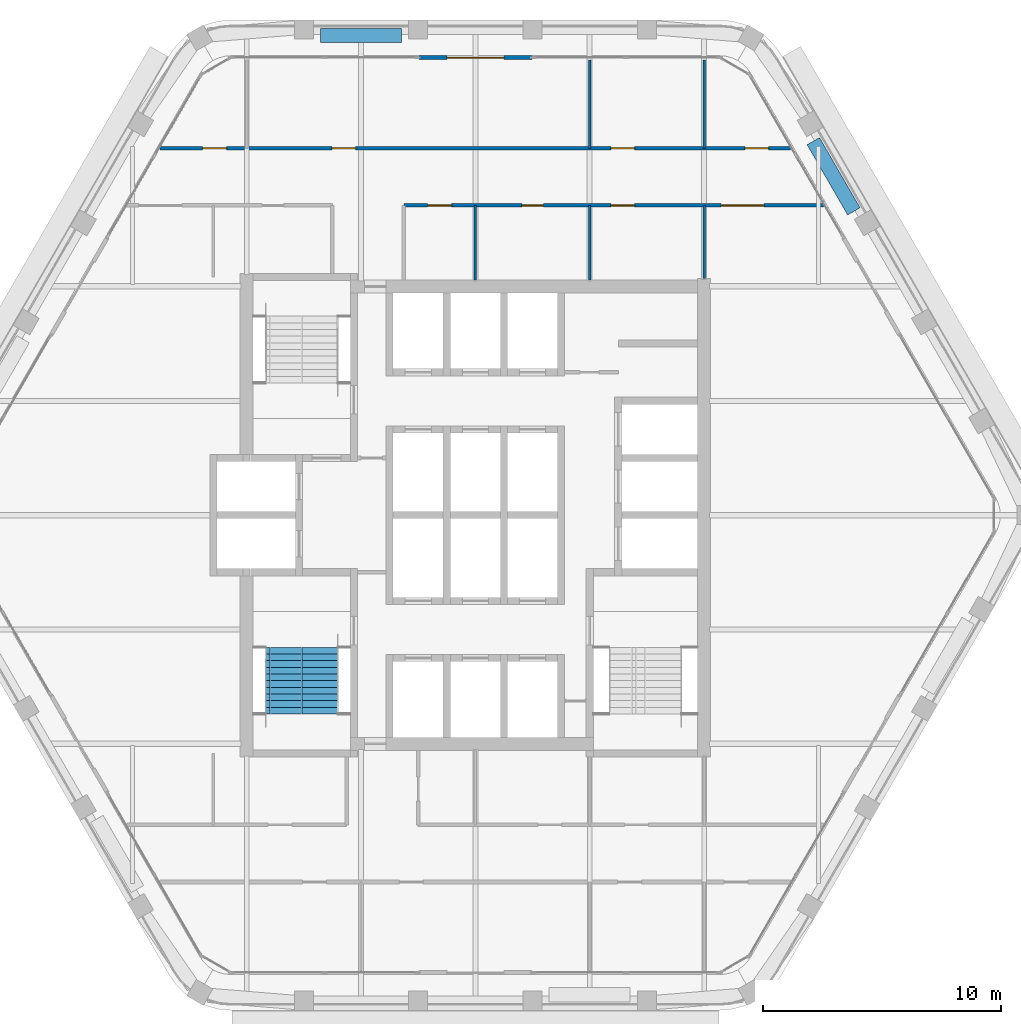
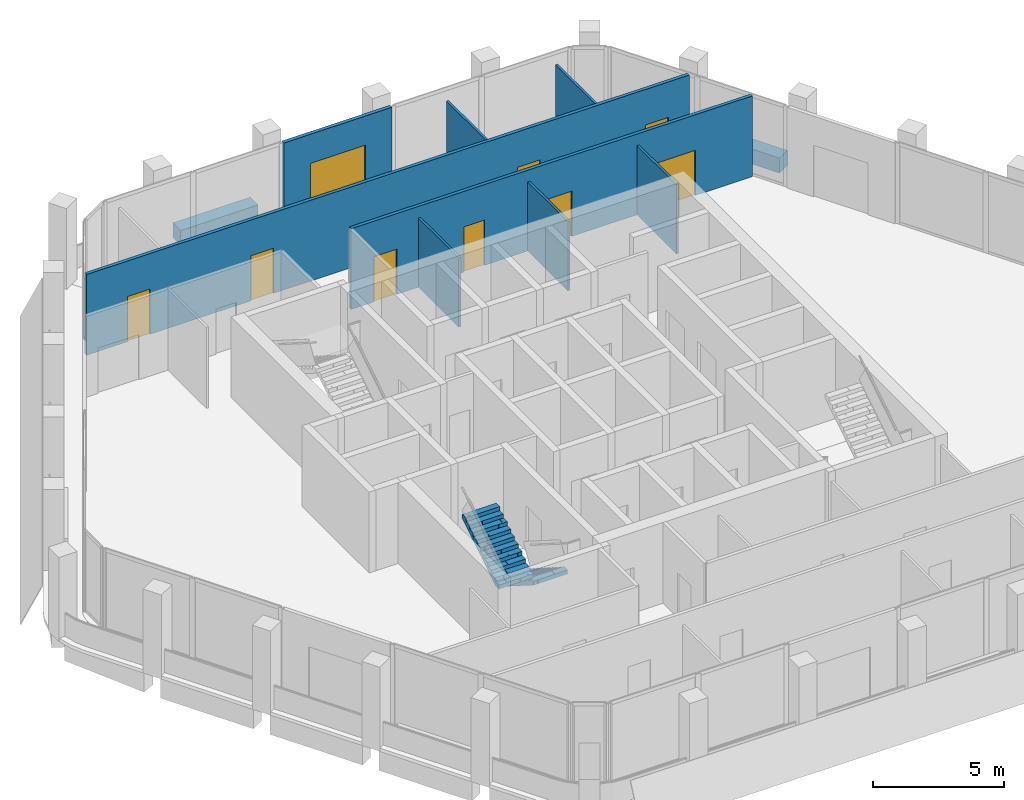
# One storey, part 10 of 13: 10 walls, 9 doors, 2 stair flights, 9 openings, 1 element without a shape of its own.
"""IFC4 building model written with IfcOpenShell, lengths in metres."""

import ifcopenshell
import ifcopenshell.guid

model = None  # the IFC model being written
_history = None  # IfcOwnerHistory: only IFC2X3 demands one
_inside = {}  # id of a spatial element -> (the spatial element, [elements in it])
_under = {}  # id of a project, library or spatial element -> (it, [spatial elements below it])
_declared = {}  # id of a project -> (the project, [libraries it declares])
_typed = {}  # id of a type object -> (the type object, [elements of that type])
_made_of = {}  # id of a material, layer set ... -> (it, [elements and type objects made of it])


def new_model(schema):
    """Start an empty IFC model of exactly this schema.

    Asked for "IFC4X3", IfcOpenShell would pick the latest addendum, in which some entities
    have other attributes; the version numbers below select the first issue.
    IFC2X3 requires an IfcOwnerHistory on every rooted entity: one is made here for all.
    """
    global model, _history
    if schema == "IFC4X3":
        model = ifcopenshell.file(schema_version=(4, 3, 0, 0))
    else:
        model = ifcopenshell.file(schema=schema)
    _inside.clear()
    _under.clear()
    _declared.clear()
    _typed.clear()
    _made_of.clear()
    _history = None
    if model.schema == "IFC2X3":
        org = make("IfcOrganization", Name="unknown")
        user = make(
            "IfcPersonAndOrganization",
            ThePerson=make("IfcPerson", FamilyName="unknown"),
            TheOrganization=org,
        )
        app = make(
            "IfcApplication",
            ApplicationDeveloper=org,
            Version="unknown",
            ApplicationFullName="unknown",
            ApplicationIdentifier="unknown",
        )
        _history = make(
            "IfcOwnerHistory",
            OwningUser=user,
            OwningApplication=app,
            ChangeAction="ADDED",
            CreationDate=0,
        )
    return model


def make(cls, **values):
    """One entity of the class cls with the attributes given. An attribute that is None is left unset."""
    return model.create_entity(
        cls, **{name: value for name, value in values.items() if value is not None}
    )


def rooted(cls, **values):
    """An entity with a GlobalId (a new one), such as an element, a storey or a relation."""
    return make(cls, GlobalId=ifcopenshell.guid.new(), OwnerHistory=_history, **values)


def si_unit(unit_type, name, prefix=None):
    """IfcSIUnit, for example si_unit("LENGTHUNIT", "METRE", prefix="MILLI")."""
    return make("IfcSIUnit", UnitType=unit_type, Prefix=prefix, Name=name)


def assignment(units):
    """IfcUnitAssignment: the units of a project."""
    return None if units is None else make("IfcUnitAssignment", Units=units)


def point(xyz):
    """IfcCartesianPoint."""
    return None if xyz is None else make("IfcCartesianPoint", Coordinates=xyz)


def direction(xyz):
    """IfcDirection."""
    return None if xyz is None else make("IfcDirection", DirectionRatios=xyz)


def frame(location, z_axis=None, x_axis=None):
    """IfcAxis2Placement3D, a coordinate frame: its origin and axes. An axis left out is left unset."""
    return make(
        "IfcAxis2Placement3D",
        Location=point(location),
        Axis=direction(z_axis),
        RefDirection=direction(x_axis),
    )


def frame_2d(location, x_axis=None):
    """IfcAxis2Placement2D, a coordinate frame in the plane: its origin and x axis."""
    return make(
        "IfcAxis2Placement2D", Location=point(location), RefDirection=direction(x_axis)
    )


def origin():
    """The frame at (0, 0, 0) with its axes left unset."""
    return frame((0.0, 0.0, 0.0))


def place(relative_to, where):
    """IfcLocalPlacement: puts the frame where relative to a parent placement (None: the world)."""
    return make(
        "IfcLocalPlacement", PlacementRelTo=relative_to, RelativePlacement=where
    )


def context(
    kind, dimensions, precision=None, world=None, true_north=None, identifier=None
):
    """IfcGeometricRepresentationContext, for example the 3D "Model" context."""
    return make(
        "IfcGeometricRepresentationContext",
        ContextIdentifier=identifier,
        ContextType=kind,
        CoordinateSpaceDimension=dimensions,
        Precision=precision,
        WorldCoordinateSystem=world,
        TrueNorth=true_north,
    )


def subcontext(parent, identifier, kind, view, scale=None):
    """IfcGeometricRepresentationSubContext, for example "Body" below "Model"."""
    return make(
        "IfcGeometricRepresentationSubContext",
        ContextIdentifier=identifier,
        ContextType=kind,
        ParentContext=parent,
        TargetScale=scale,
        TargetView=view,
    )


def project(units=None, contexts=None):
    """IfcProject with its units and contexts."""
    return rooted(
        "IfcProject",
        Name="project",
        RepresentationContexts=contexts,
        UnitsInContext=assignment(units),
    )


def spatial(cls, under=None, at=None, **own):
    """A site, building, storey or space (cls), placed at a placement, below another one or the project."""
    s = rooted(cls, ObjectPlacement=at, **own)
    if under is not None:
        _under.setdefault(under.id(), (under, []))[1].append(s)
    return s


def polyline(points):
    """IfcPolyline through the points."""
    return make("IfcPolyline", Points=[point(p) for p in points])


def profile(cls, at=None, kind="AREA", **sizes):
    """A parametric profile (cls). Its sizes go by their IFC names, for example OverallWidth=200.0."""
    return make(cls, ProfileType=kind, Position=at, **sizes)


def rectangle(**sizes):
    """IfcRectangleProfileDef."""
    return profile("IfcRectangleProfileDef", **sizes)


def outline(outer, holes=None, kind="AREA"):
    """IfcArbitraryClosedProfileDef: a profile drawn as a closed curve; with holes, ...WithVoids."""
    if holes is None:
        return make("IfcArbitraryClosedProfileDef", ProfileType=kind, OuterCurve=outer)
    return make(
        "IfcArbitraryProfileDefWithVoids",
        ProfileType=kind,
        OuterCurve=outer,
        InnerCurves=holes,
    )


def extrude(swept, where, along, depth):
    """IfcExtrudedAreaSolid: the profile swept, set in the frame where, extruded along a direction by depth."""
    return make(
        "IfcExtrudedAreaSolid",
        SweptArea=swept,
        Position=where,
        ExtrudedDirection=direction(along),
        Depth=depth,
    )


def shape(context_of_items, identifier, shape_type, items):
    """IfcShapeRepresentation: the items that make up one representation, for example the "Body"."""
    return make(
        "IfcShapeRepresentation",
        ContextOfItems=context_of_items,
        RepresentationIdentifier=identifier,
        RepresentationType=shape_type,
        Items=items,
    )


def material(Name=None, Category=None):
    """IfcMaterial."""
    return make("IfcMaterial", Name=Name, Category=Category)


def layer(
    of_material, thickness, ventilated=None, Name=None, Category=None, Priority=None
):
    """IfcMaterialLayer: one layer of a wall or slab, of a material (None: an air gap)."""
    return make(
        "IfcMaterialLayer",
        Material=of_material,
        LayerThickness=thickness,
        IsVentilated=ventilated,
        Name=Name,
        Category=Category,
        Priority=Priority,
    )


def layer_set(layers, Name=None):
    """IfcMaterialLayerSet."""
    return make("IfcMaterialLayerSet", MaterialLayers=layers, LayerSetName=Name)


def made_of(thing, what):
    """Note that an element or type object is made of a material, layer set ...; save() writes the relation."""
    if what is not None:
        _made_of.setdefault(what.id(), (what, []))[1].append(thing)
    return thing


def type_object(cls, material=None, **own):
    """A type object (cls), such as IfcWallType, which elements share."""
    return made_of(rooted(cls, **own), material)


def element(
    cls,
    number,
    at=None,
    inside=None,
    cuts=None,
    type_object=None,
    material=None,
    context=None,
    identifier="Body",
    shape_type=None,
    held_by="IfcProductDefinitionShape",
    body=None,
    shapes=None,
    **own,
):
    """One element of the class cls, such as IfcWall. Its Tag is "e" and its number.

    at: its placement. inside: the storey or other place that contains it. cuts: it is an
    opening in that element (IfcRelVoidsElement). A single representation is given by context,
    identifier, shape_type and body (its items); several are given by shapes. held_by: the class
    of the entity that holds the representations. save() writes the other relations.
    """
    e = rooted(cls, Tag="e%d" % number, ObjectPlacement=at, **own)
    if body is not None:
        shapes = [shape(context, identifier, shape_type, body)]
    if shapes is not None:
        e.Representation = make(held_by, Representations=shapes)
    if inside is not None:
        _inside.setdefault(inside.id(), (inside, []))[1].append(e)
    if cuts is not None:
        rooted(
            "IfcRelVoidsElement", RelatingBuildingElement=cuts, RelatedOpeningElement=e
        )
    if type_object is not None:
        _typed.setdefault(type_object.id(), (type_object, []))[1].append(e)
    return made_of(e, material)


def fill(opening, filler):
    """IfcRelFillsElement: the door or window that sits in an opening."""
    return rooted(
        "IfcRelFillsElement",
        RelatingOpeningElement=opening,
        RelatedBuildingElement=filler,
    )


def aggregate(whole, parts):
    """IfcRelAggregates: a whole, such as a stair, and the parts it consists of."""
    return rooted("IfcRelAggregates", RelatingObject=whole, RelatedObjects=parts)


def save(model, path):
    """Write the relations noted so far, then the file.

    IfcRelAggregates (storeys below a building ...), IfcRelContainedInSpatialStructure (elements
    in a storey), IfcRelDefinesByType, IfcRelAssociatesMaterial and IfcRelDeclares: one each for
    every whole, place, type object, material and project.
    """
    for whole, parts in _under.values():
        aggregate(whole, parts)
    for where, things in _inside.values():
        rooted(
            "IfcRelContainedInSpatialStructure",
            RelatedElements=things,
            RelatingStructure=where,
        )
    for kind, things in _typed.values():
        rooted("IfcRelDefinesByType", RelatedObjects=things, RelatingType=kind)
    for what, things in _made_of.values():
        rooted("IfcRelAssociatesMaterial", RelatedObjects=things, RelatingMaterial=what)
    for by, libraries in _declared.values():
        rooted("IfcRelDeclares", RelatingContext=by, RelatedDefinitions=libraries)
    model.write(path)


model = new_model("IFC4")

# Units and contexts
model_context = context("Model", 3, precision=1e-05, world=origin(), true_north=direction((0.0, 1.0)))
body_context = subcontext(model_context, "Body", "Model", "MODEL_VIEW")
ifc_project = project(units=[si_unit("LENGTHUNIT", "METRE"), si_unit("AREAUNIT", "SQUARE_METRE"), si_unit("VOLUMEUNIT", "CUBIC_METRE"), si_unit("PLANEANGLEUNIT", "RADIAN"), si_unit("MASSUNIT", "GRAM", prefix="KILO")], contexts=[model_context])

# Site, building, storey
site_placement = place(None, origin())
site = spatial("IfcSite", under=ifc_project, at=site_placement, CompositionType="ELEMENT")
building_placement = place(site_placement, origin())
building = spatial("IfcBuilding", under=site, at=building_placement, Name="Kolab Exchange Tower", CompositionType="ELEMENT")
storey_placement = place(building_placement, frame((0.0, 0.0, 289.10009765625)))
storey = spatial("IfcBuildingStorey", under=building, at=storey_placement, Name="L65", CompositionType="ELEMENT", Elevation=289.10009765625)

# Wall, opening, door
ifc_material_1 = material(Name="Aluminium EN AW-6063 T6", Category="aluminium")
ifc_layer_1 = layer(ifc_material_1, 0.159912109375)
ifc_layer_set_1 = layer_set([ifc_layer_1], Name="Aluminium EN AW-6063 T6")
wall_type_1 = type_object("IfcWallType", Name="DOOR SURROUND WALL 160 ALUMINIUM FRAMED", PredefinedType="PARTITIONING", material=ifc_layer_set_1)
wall_1_placement = place(storey_placement, frame((-2.3701171875, 19.20458984375, 0.0), z_axis=(0.0, 0.0, 1.0), x_axis=(1.0, 0.0, 0.0)))
wall_1 = element("IfcWall", 1, at=wall_1_placement, inside=storey, type_object=wall_type_1, Name="Door surround wall", PredefinedType="PARTITIONING", context=body_context, shape_type="SweptSolid", body=[
    extrude(rectangle(XDim=4.740234375, YDim=0.159912109375, at=frame_2d((2.3701171875, 0.0))), origin(), (0.0, 0.0, 1.0), 3.75),
])
opening_1_placement = place(wall_1_placement, frame((1.169921875, 0.0, 0.0)))
opening_1 = element("IfcOpeningElement", 2, at=opening_1_placement, cuts=wall_1, Name="Opening GD1-089", PredefinedType="OPENING", context=body_context, shape_type="SweptSolid", body=[
    extrude(rectangle(XDim=2.39990234375, YDim=2.39990234375, at=frame_2d((1.199951171875, 1.199951171875))), frame((0.0, 0.08984375, 0.0), z_axis=(0.0, -1.0, 0.0), x_axis=(1.0, 0.0, 0.0)), (0.0, 0.0, 1.0), 0.179931640625),
])
door_type_1 = type_object("IfcDoorType", Name="LOGGIA SLIDING GLASS DOOR 2400 X 2400", OperationType="DOUBLE_DOOR_SINGLE_SWING", PredefinedType="DOOR", material=ifc_material_1)
door_1_placement = place(opening_1_placement, origin())
door_1 = element("IfcDoor", 3, at=door_1_placement, inside=storey, type_object=door_type_1, Name="Loggia door", OperationType="DOUBLE_DOOR_SLIDING", OverallHeight=2.39990234375, OverallWidth=2.39990234375, PredefinedType="DOOR", context=body_context, shape_type="SweptSolid", body=[
    extrude(rectangle(XDim=2.39990234375, YDim=2.39990234375, at=frame_2d((1.199951171875, 1.199951171875))), frame((0.0, 0.02490234375, 0.0), z_axis=(0.0, -1.0, 0.0), x_axis=(1.0, 0.0, 0.0)), (0.0, 0.0, 1.0), 0.050048828125),
])
fill(opening_1, door_1)

# Walls
ifc_material_2 = material(Name="Gypsum board", Category="gypsum")
ifc_layer_2 = layer(ifc_material_2, 0.10009765625)
ifc_layer_set_2 = layer_set([ifc_layer_2], Name="Gypsum board")
wall_type_2 = type_object("IfcWallType", Name="PARTITION 100", PredefinedType="PARTITIONING", material=ifc_layer_set_2)
wall_2_placement = place(storey_placement, frame((9.60009765625, 9.925048828125, 0.0), z_axis=(0.0, 0.0, 1.0), x_axis=(0.0, 1.0, 0.0)))
element("IfcWall", 4, at=wall_2_placement, inside=storey, type_object=wall_type_2, Name="Partition 002", PredefinedType="PARTITIONING", context=body_context, shape_type="SweptSolid", body=[
    extrude(rectangle(XDim=3.074951171875, YDim=0.10009765625, at=frame_2d((1.53759765625, 0.0))), origin(), (0.0, 0.0, 1.0), 3.216796875),
])
wall_3_placement = place(storey_placement, frame((9.60009765625, 15.39990234375, 0.0), z_axis=(0.0, 0.0, 1.0), x_axis=(0.0, 1.0, 0.0)))
element("IfcWall", 5, at=wall_3_placement, inside=storey, type_object=wall_type_2, Name="Partition 003", PredefinedType="PARTITIONING", context=body_context, shape_type="SweptSolid", body=[
    extrude(rectangle(XDim=3.714599609375, YDim=0.10009765625, at=frame_2d((1.857421875, 0.0))), origin(), (0.0, 0.0, 1.0), 3.216796875),
])
wall_4_placement = place(storey_placement, frame((4.800048828125, 9.875, 0.0), z_axis=(0.0, 0.0, 1.0), x_axis=(0.0, 1.0, 0.0)))
element("IfcWall", 6, at=wall_4_placement, inside=storey, type_object=wall_type_2, Name="Partition 006", PredefinedType="PARTITIONING", context=body_context, shape_type="SweptSolid", body=[
    extrude(rectangle(XDim=3.125, YDim=0.10009765625, at=frame_2d((1.5625, 0.0))), origin(), (0.0, 0.0, 1.0), 3.216796875),
])
wall_5_placement = place(storey_placement, frame((4.800048828125, 15.39990234375, 0.0), z_axis=(0.0, 0.0, 1.0), x_axis=(0.0, 1.0, 0.0)))
element("IfcWall", 7, at=wall_5_placement, inside=storey, type_object=wall_type_2, Name="Partition 007", PredefinedType="PARTITIONING", context=body_context, shape_type="SweptSolid", body=[
    extrude(rectangle(XDim=3.714599609375, YDim=0.10009765625, at=frame_2d((1.857421875, 0.0))), origin(), (0.0, 0.0, 1.0), 3.216796875),
])
wall_6_placement = place(storey_placement, frame((0.0, 9.875, 0.0), z_axis=(0.0, 0.0, 1.0), x_axis=(0.0, 1.0, 0.0)))
element("IfcWall", 8, at=wall_6_placement, inside=storey, type_object=wall_type_2, Name="Partition 009", PredefinedType="PARTITIONING", context=body_context, shape_type="SweptSolid", body=[
    extrude(rectangle(XDim=3.125, YDim=0.10009765625, at=frame_2d((1.5625, 0.0))), origin(), (0.0, 0.0, 1.0), 3.216796875),
])

# Wall, openings, doors
ifc_layer_3 = layer(ifc_material_2, 0.14990234375)
ifc_layer_set_3 = layer_set([ifc_layer_3], Name="Gypsum board")
wall_type_3 = type_object("IfcWallType", Name="PARTITION 150 FIRE-RATED", PredefinedType="PARTITIONING", material=ifc_layer_set_3)
wall_7_placement = place(storey_placement, frame((-3.0, 13.0, 0.0), z_axis=(0.0, 0.0, 1.0), x_axis=(1.0, 0.0, 0.0)))
wall_7 = element("IfcWall", 9, at=wall_7_placement, inside=storey, type_object=wall_type_3, Name="Partition 024", PredefinedType="PARTITIONING", context=body_context, shape_type="SweptSolid", body=[
    extrude(rectangle(XDim=17.623779296875, YDim=0.14990234375, at=frame_2d((8.81201171875, 0.0))), origin(), (0.0, 0.0, 1.0), 3.75),
])
opening_2_placement = place(wall_7_placement, frame((1.0, 0.0, 0.0)))
opening_2 = element("IfcOpeningElement", 10, at=opening_2_placement, cuts=wall_7, Name="Opening D1-753", PredefinedType="OPENING", context=body_context, shape_type="SweptSolid", body=[
    extrude(rectangle(XDim=1.0, YDim=2.10009765625, at=frame_2d((0.5, 1.050048828125))), frame((0.0, 0.0849609375, 0.0), z_axis=(0.0, -1.0, 0.0), x_axis=(1.0, 0.0, 0.0)), (0.0, 0.0, 1.0), 0.169921875),
])
opening_3_placement = place(wall_7_placement, frame((4.949951171875, 0.0, 0.0)))
opening_3 = element("IfcOpeningElement", 11, at=opening_3_placement, cuts=wall_7, Name="Opening D3-093", PredefinedType="OPENING", context=body_context, shape_type="SweptSolid", body=[
    extrude(rectangle(XDim=0.89990234375, YDim=2.10009765625, at=frame_2d((0.449951171875, 1.050048828125))), frame((0.0, 0.0849609375, 0.0), z_axis=(0.0, -1.0, 0.0), x_axis=(1.0, 0.0, 0.0)), (0.0, 0.0, 1.0), 0.169921875),
])
opening_4_placement = place(wall_7_placement, frame((8.68505859375, 0.0, 0.0)))
opening_4 = element("IfcOpeningElement", 12, at=opening_4_placement, cuts=wall_7, Name="Opening D1-754", PredefinedType="OPENING", context=body_context, shape_type="SweptSolid", body=[
    extrude(rectangle(XDim=1.0, YDim=2.10009765625, at=frame_2d((0.5, 1.050048828125))), frame((0.0, 0.0849609375, 0.0), z_axis=(0.0, -1.0, 0.0), x_axis=(1.0, 0.0, 0.0)), (0.0, 0.0, 1.0), 0.169921875),
])
opening_5_placement = place(wall_7_placement, frame((13.314453125, 0.0, 0.0)))
opening_5 = element("IfcOpeningElement", 13, at=opening_5_placement, cuts=wall_7, Name="Opening D2-078", PredefinedType="OPENING", context=body_context, shape_type="SweptSolid", body=[
    extrude(rectangle(XDim=1.800048828125, YDim=2.10009765625, at=frame_2d((0.89990234375, 1.050048828125))), frame((0.0, 0.0849609375, 0.0), z_axis=(0.0, -1.0, 0.0), x_axis=(1.0, 0.0, 0.0)), (0.0, 0.0, 1.0), 0.169921875),
])
ifc_material_3 = material(Name="Steel S235", Category="steel")
door_type_2 = type_object("IfcDoorType", Name="DOUBLE DOOR 1800 FD60", OperationType="DOUBLE_DOOR_SINGLE_SWING", PredefinedType="DOOR", material=ifc_material_3)
door_2_placement = place(opening_5_placement, frame((1.800048828125, 0.0, 0.0), z_axis=(0.0, 0.0, 1.0), x_axis=(-1.0, 0.0, 0.0)))
door_2 = element("IfcDoor", 14, at=door_2_placement, inside=storey, type_object=door_type_2, Name="Door L65-047", OperationType="SINGLE_SWING_LEFT", OverallHeight=2.10009765625, OverallWidth=1.800048828125, PredefinedType="DOOR", context=body_context, shape_type="SweptSolid", body=[
    extrude(rectangle(XDim=1.800048828125, YDim=2.10009765625, at=frame_2d((0.89990234375, 1.050048828125))), frame((0.0, 0.02490234375, 0.0), z_axis=(0.0, -1.0, 0.0), x_axis=(1.0, 0.0, 0.0)), (0.0, 0.0, 1.0), 0.050048828125),
])
fill(opening_5, door_2)
door_type_3 = type_object("IfcDoorType", Name="FLUSH DOOR 1000 FD60", OperationType="SINGLE_SWING_LEFT", PredefinedType="DOOR", material=ifc_material_3)
door_3_placement = place(opening_2_placement, frame((1.0, 0.0, 0.0), z_axis=(0.0, 0.0, 1.0), x_axis=(-1.0, 0.0, 0.0)))
door_3 = element("IfcDoor", 15, at=door_3_placement, inside=storey, type_object=door_type_3, Name="Door L65-031", OperationType="SINGLE_SWING_LEFT", OverallHeight=2.10009765625, OverallWidth=1.0, PredefinedType="DOOR", context=body_context, shape_type="SweptSolid", body=[
    extrude(rectangle(XDim=1.0, YDim=2.10009765625, at=frame_2d((0.5, 1.050048828125))), frame((0.0, 0.02490234375, 0.0), z_axis=(0.0, -1.0, 0.0), x_axis=(1.0, 0.0, 0.0)), (0.0, 0.0, 1.0), 0.050048828125),
])
fill(opening_2, door_3)
door_4_placement = place(opening_4_placement, frame((1.0, 0.0, 0.0), z_axis=(0.0, 0.0, 1.0), x_axis=(-1.0, 0.0, 0.0)))
door_4 = element("IfcDoor", 16, at=door_4_placement, inside=storey, type_object=door_type_3, Name="Door L65-033", OperationType="SINGLE_SWING_LEFT", OverallHeight=2.10009765625, OverallWidth=1.0, PredefinedType="DOOR", context=body_context, shape_type="SweptSolid", body=[
    extrude(rectangle(XDim=1.0, YDim=2.10009765625, at=frame_2d((0.5, 1.050048828125))), frame((0.0, 0.02490234375, 0.0), z_axis=(0.0, -1.0, 0.0), x_axis=(1.0, 0.0, 0.0)), (0.0, 0.0, 1.0), 0.050048828125),
])
fill(opening_4, door_4)
door_type_4 = type_object("IfcDoorType", Name="FLUSH DOOR 900 FD60", OperationType="SINGLE_SWING_LEFT", PredefinedType="DOOR", material=ifc_material_3)
door_5_placement = place(opening_3_placement, frame((0.89990234375, 0.0, 0.0), z_axis=(0.0, 0.0, 1.0), x_axis=(-1.0, 0.0, 0.0)))
door_5 = element("IfcDoor", 17, at=door_5_placement, inside=storey, type_object=door_type_4, Name="Door L65-032", OperationType="SINGLE_SWING_RIGHT", OverallHeight=2.10009765625, OverallWidth=0.89990234375, PredefinedType="DOOR", context=body_context, shape_type="SweptSolid", body=[
    extrude(rectangle(XDim=0.89990234375, YDim=2.10009765625, at=frame_2d((0.449951171875, 1.050048828125))), frame((0.0, 0.02490234375, 0.0), z_axis=(0.0, -1.0, 0.0), x_axis=(1.0, 0.0, 0.0)), (0.0, 0.0, 1.0), 0.050048828125),
])
fill(opening_3, door_5)

wall_8_placement = place(storey_placement, frame((-13.23828125, 15.39990234375, 0.0), z_axis=(0.0, 0.0, 1.0), x_axis=(1.0, 0.0, 0.0)))
wall_8 = element("IfcWall", 18, at=wall_8_placement, inside=storey, type_object=wall_type_3, Name="Partition 025", PredefinedType="PARTITIONING", context=body_context, shape_type="SweptSolid", body=[
    extrude(rectangle(XDim=26.4765625, YDim=0.14990234375, at=frame_2d((13.23828125, 0.0))), origin(), (0.0, 0.0, 1.0), 3.75),
])
opening_6_placement = place(wall_8_placement, frame((1.7939453125, 0.0, 0.0)))
opening_6 = element("IfcOpeningElement", 19, at=opening_6_placement, cuts=wall_8, Name="Opening D1-759", PredefinedType="OPENING", context=body_context, shape_type="SweptSolid", body=[
    extrude(rectangle(XDim=1.0, YDim=2.10009765625, at=frame_2d((0.5, 1.050048828125))), frame((0.0, 0.0849609375, 0.0), z_axis=(0.0, -1.0, 0.0), x_axis=(1.0, 0.0, 0.0)), (0.0, 0.0, 1.0), 0.169921875),
])
opening_7_placement = place(wall_8_placement, frame((7.213134765625, 0.0, 0.0)))
opening_7 = element("IfcOpeningElement", 20, at=opening_7_placement, cuts=wall_8, Name="Opening D1-760", PredefinedType="OPENING", context=body_context, shape_type="SweptSolid", body=[
    extrude(rectangle(XDim=1.0, YDim=2.10009765625, at=frame_2d((0.5, 1.050048828125))), frame((0.0, 0.0849609375, 0.0), z_axis=(0.0, -1.0, 0.0), x_axis=(1.0, 0.0, 0.0)), (0.0, 0.0, 1.0), 0.169921875),
])
opening_8_placement = place(wall_8_placement, frame((18.923095703125, 0.0, 0.0)))
opening_8 = element("IfcOpeningElement", 21, at=opening_8_placement, cuts=wall_8, Name="Opening D1-761", PredefinedType="OPENING", context=body_context, shape_type="SweptSolid", body=[
    extrude(rectangle(XDim=1.0, YDim=2.10009765625, at=frame_2d((0.5, 1.050048828125))), frame((0.0, 0.0849609375, 0.0), z_axis=(0.0, -1.0, 0.0), x_axis=(1.0, 0.0, 0.0)), (0.0, 0.0, 1.0), 0.169921875),
])
opening_9_placement = place(wall_8_placement, frame((24.552978515625, 0.0, 0.0)))
opening_9 = element("IfcOpeningElement", 22, at=opening_9_placement, cuts=wall_8, Name="Opening D1-762", PredefinedType="OPENING", context=body_context, shape_type="SweptSolid", body=[
    extrude(rectangle(XDim=1.0, YDim=2.10009765625, at=frame_2d((0.5, 1.050048828125))), frame((0.0, 0.0849609375, 0.0), z_axis=(0.0, -1.0, 0.0), x_axis=(1.0, 0.0, 0.0)), (0.0, 0.0, 1.0), 0.169921875),
])
door_6_placement = place(opening_6_placement, origin())
door_6 = element("IfcDoor", 23, at=door_6_placement, inside=storey, type_object=door_type_3, Name="Door L65-039", OperationType="SINGLE_SWING_RIGHT", OverallHeight=2.10009765625, OverallWidth=1.0, PredefinedType="DOOR", context=body_context, shape_type="SweptSolid", body=[
    extrude(rectangle(XDim=1.0, YDim=2.10009765625, at=frame_2d((0.5, 1.050048828125))), frame((0.0, 0.02490234375, 0.0), z_axis=(0.0, -1.0, 0.0), x_axis=(1.0, 0.0, 0.0)), (0.0, 0.0, 1.0), 0.050048828125),
])
fill(opening_6, door_6)
door_7_placement = place(opening_7_placement, origin())
door_7 = element("IfcDoor", 24, at=door_7_placement, inside=storey, type_object=door_type_3, Name="Door L65-040", OperationType="SINGLE_SWING_LEFT", OverallHeight=2.10009765625, OverallWidth=1.0, PredefinedType="DOOR", context=body_context, shape_type="SweptSolid", body=[
    extrude(rectangle(XDim=1.0, YDim=2.10009765625, at=frame_2d((0.5, 1.050048828125))), frame((0.0, 0.02490234375, 0.0), z_axis=(0.0, -1.0, 0.0), x_axis=(1.0, 0.0, 0.0)), (0.0, 0.0, 1.0), 0.050048828125),
])
fill(opening_7, door_7)
door_8_placement = place(opening_8_placement, origin())
door_8 = element("IfcDoor", 25, at=door_8_placement, inside=storey, type_object=door_type_3, Name="Door L65-041", OperationType="SINGLE_SWING_LEFT", OverallHeight=2.10009765625, OverallWidth=1.0, PredefinedType="DOOR", context=body_context, shape_type="SweptSolid", body=[
    extrude(rectangle(XDim=1.0, YDim=2.10009765625, at=frame_2d((0.5, 1.050048828125))), frame((0.0, 0.02490234375, 0.0), z_axis=(0.0, -1.0, 0.0), x_axis=(1.0, 0.0, 0.0)), (0.0, 0.0, 1.0), 0.050048828125),
])
fill(opening_8, door_8)
door_9_placement = place(opening_9_placement, origin())
door_9 = element("IfcDoor", 26, at=door_9_placement, inside=storey, type_object=door_type_3, Name="Door L65-042", OperationType="SINGLE_SWING_RIGHT", OverallHeight=2.10009765625, OverallWidth=1.0, PredefinedType="DOOR", context=body_context, shape_type="SweptSolid", body=[
    extrude(rectangle(XDim=1.0, YDim=2.10009765625, at=frame_2d((0.5, 1.050048828125))), frame((0.0, 0.02490234375, 0.0), z_axis=(0.0, -1.0, 0.0), x_axis=(1.0, 0.0, 0.0)), (0.0, 0.0, 1.0), 0.050048828125),
])
fill(opening_9, door_9)

# Walls
ifc_material_4 = material(Name="Granite facing", Category="masonry")
ifc_layer_4 = layer(ifc_material_4, 0.0400390625)
ifc_material_5 = material(Name="Concrete C40/50 precast", Category="concrete")
ifc_layer_5 = layer(ifc_material_5, 0.56005859375)
ifc_layer_set_4 = layer_set([ifc_layer_4, ifc_layer_5], Name="Concrete C40/50 precast")
wall_type_4 = type_object("IfcWallType", Name="PLANTER BOX 600 X 700 SOIL DEPTH 550", PredefinedType="USERDEFINED", material=ifc_layer_set_4)
wall_9_placement = place(storey_placement, frame((-6.5, 20.134521484375, 0.0), z_axis=(0.0, 0.0, 1.0), x_axis=(1.0, 0.0, 0.0)))
element("IfcWall", 27, at=wall_9_placement, inside=storey, type_object=wall_type_4, Name="Planter", ObjectType="PLANTER", PredefinedType="USERDEFINED", context=body_context, shape_type="SweptSolid", body=[
    extrude(rectangle(XDim=3.39990234375, YDim=0.60009765625, at=frame_2d((1.699951171875, 0.0))), origin(), (0.0, 0.0, 1.0), 0.699951171875),
])
wall_10_placement = place(storey_placement, frame((14.18701171875, 15.696533203125, 0.0), z_axis=(0.0, 0.0, 1.0), x_axis=(0.499977295307, -0.866038511948, 0.0)))
element("IfcWall", 28, at=wall_10_placement, inside=storey, type_object=wall_type_4, Name="Planter", ObjectType="PLANTER", PredefinedType="USERDEFINED", context=body_context, shape_type="SweptSolid", body=[
    extrude(rectangle(XDim=3.400146484375, YDim=0.60009765625, at=frame_2d((1.7001953125, 0.0))), origin(), (0.0, 0.0, 1.0), 0.699951171875),
])

# Stair, stair flights
ifc_material_6 = material(Name="Concrete C50/60", Category="concrete")
stair_type = type_object("IfcStairType", Name="STAIR ST3 RISER 177.3", PredefinedType="HALF_TURN_STAIR", material=ifc_material_6)
stair_placement = place(storey_placement, origin())
stair = element("IfcStair", 29, at=stair_placement, inside=storey, type_object=stair_type, Name="Stair 3", PredefinedType="HALF_TURN_STAIR")
stair_flight_type = type_object("IfcStairFlightType", Name="STAIR FLIGHT 1500 RISER 177.3", PredefinedType="STRAIGHT", material=ifc_material_6)
stair_flight_1_placement = place(storey_placement, frame((-6.527587890625, -5.550048828125, 0.0), z_axis=(0.0, 0.0, 1.0), x_axis=(0.0, -1.0, 0.0)))
stair_flight_1 = element("IfcStairFlight", 30, at=stair_flight_1_placement, type_object=stair_flight_type, Name="ST3 flight 1", NumberOfRisers=11, NumberOfTreads=10, PredefinedType="STRAIGHT", RiserHeight=0.177272727, TreadLength=0.28, context=body_context, shape_type="SweptSolid", body=[
    extrude(outline(polyline([(0.0, 0.0), (0.0, 0.17724609375), (0.280029296875, 0.17724609375), (0.280029296875, 0.3544921875), (0.56005859375, 0.3544921875), (0.56005859375, 0.53173828125), (0.840087890625, 0.53173828125), (0.840087890625, 0.708984375), (1.1201171875, 0.708984375), (1.1201171875, 0.886474609375), (1.39990234375, 0.886474609375), (1.39990234375, 1.063720703125), (1.679931640625, 1.063720703125), (1.679931640625, 1.240966796875), (1.9599609375, 1.240966796875), (1.9599609375, 1.418212890625), (2.239990234375, 1.418212890625), (2.239990234375, 1.595458984375), (2.52001953125, 1.595458984375), (2.52001953125, 1.772705078125), (2.800048828125, 1.772705078125), (2.800048828125, 1.949951171875), (2.800048828125, 1.59521484375), (0.2802734375, 0.0), (0.0, 0.0)])), frame((0.0, 0.75, 0.0), z_axis=(0.0, -1.0, 0.0), x_axis=(1.0, 0.0, 0.0)), (0.0, 0.0, 1.0), 0.185791015625),
    extrude(outline(polyline([(0.0, 0.0), (0.0, 0.17724609375), (0.280029296875, 0.17724609375), (0.280029296875, 0.3544921875), (0.56005859375, 0.3544921875), (0.56005859375, 0.53173828125), (0.840087890625, 0.53173828125), (0.840087890625, 0.708984375), (1.1201171875, 0.708984375), (1.1201171875, 0.886474609375), (1.39990234375, 0.886474609375), (1.39990234375, 1.063720703125), (1.679931640625, 1.063720703125), (1.679931640625, 1.240966796875), (1.9599609375, 1.240966796875), (1.9599609375, 1.418212890625), (2.239990234375, 1.418212890625), (2.239990234375, 1.595458984375), (2.52001953125, 1.595458984375), (2.52001953125, 1.772705078125), (2.800048828125, 1.772705078125), (2.800048828125, 1.949951171875), (2.800048828125, 1.59521484375), (0.2802734375, 0.0), (0.0, 0.0)])), frame((0.0, 0.562255859375, 0.0), z_axis=(0.0, -1.0, 0.0), x_axis=(1.0, 0.0, 0.0)), (0.0, 0.0, 1.0), 0.185791015625),
    extrude(outline(polyline([(0.0, 0.0), (0.0, 0.17724609375), (0.280029296875, 0.17724609375), (0.280029296875, 0.3544921875), (0.56005859375, 0.3544921875), (0.56005859375, 0.53173828125), (0.840087890625, 0.53173828125), (0.840087890625, 0.708984375), (1.1201171875, 0.708984375), (1.1201171875, 0.886474609375), (1.39990234375, 0.886474609375), (1.39990234375, 1.063720703125), (1.679931640625, 1.063720703125), (1.679931640625, 1.240966796875), (1.9599609375, 1.240966796875), (1.9599609375, 1.418212890625), (2.239990234375, 1.418212890625), (2.239990234375, 1.595458984375), (2.52001953125, 1.595458984375), (2.52001953125, 1.772705078125), (2.800048828125, 1.772705078125), (2.800048828125, 1.949951171875), (2.800048828125, 1.59521484375), (0.2802734375, 0.0), (0.0, 0.0)])), frame((0.0, 0.37451171875, 0.0), z_axis=(0.0, -1.0, 0.0), x_axis=(1.0, 0.0, 0.0)), (0.0, 0.0, 1.0), 0.185791015625),
    extrude(outline(polyline([(0.0, 0.0), (0.0, 0.17724609375), (0.280029296875, 0.17724609375), (0.280029296875, 0.3544921875), (0.56005859375, 0.3544921875), (0.56005859375, 0.53173828125), (0.840087890625, 0.53173828125), (0.840087890625, 0.708984375), (1.1201171875, 0.708984375), (1.1201171875, 0.886474609375), (1.39990234375, 0.886474609375), (1.39990234375, 1.063720703125), (1.679931640625, 1.063720703125), (1.679931640625, 1.240966796875), (1.9599609375, 1.240966796875), (1.9599609375, 1.418212890625), (2.239990234375, 1.418212890625), (2.239990234375, 1.595458984375), (2.52001953125, 1.595458984375), (2.52001953125, 1.772705078125), (2.800048828125, 1.772705078125), (2.800048828125, 1.949951171875), (2.800048828125, 1.59521484375), (0.2802734375, 0.0), (0.0, 0.0)])), frame((0.0, 0.186767578125, 0.0), z_axis=(0.0, -1.0, 0.0), x_axis=(1.0, 0.0, 0.0)), (0.0, 0.0, 1.0), 0.185791015625),
    extrude(outline(polyline([(0.0, 0.0), (0.0, 0.17724609375), (0.280029296875, 0.17724609375), (0.280029296875, 0.3544921875), (0.56005859375, 0.3544921875), (0.56005859375, 0.53173828125), (0.840087890625, 0.53173828125), (0.840087890625, 0.708984375), (1.1201171875, 0.708984375), (1.1201171875, 0.886474609375), (1.39990234375, 0.886474609375), (1.39990234375, 1.063720703125), (1.679931640625, 1.063720703125), (1.679931640625, 1.240966796875), (1.9599609375, 1.240966796875), (1.9599609375, 1.418212890625), (2.239990234375, 1.418212890625), (2.239990234375, 1.595458984375), (2.52001953125, 1.595458984375), (2.52001953125, 1.772705078125), (2.800048828125, 1.772705078125), (2.800048828125, 1.949951171875), (2.800048828125, 1.59521484375), (0.2802734375, 0.0), (0.0, 0.0)])), frame((0.0, -0.0009765625, 0.0), z_axis=(0.0, -1.0, 0.0), x_axis=(1.0, 0.0, 0.0)), (0.0, 0.0, 1.0), 0.185791015625),
    extrude(outline(polyline([(0.0, 0.0), (0.0, 0.17724609375), (0.280029296875, 0.17724609375), (0.280029296875, 0.3544921875), (0.56005859375, 0.3544921875), (0.56005859375, 0.53173828125), (0.840087890625, 0.53173828125), (0.840087890625, 0.708984375), (1.1201171875, 0.708984375), (1.1201171875, 0.886474609375), (1.39990234375, 0.886474609375), (1.39990234375, 1.063720703125), (1.679931640625, 1.063720703125), (1.679931640625, 1.240966796875), (1.9599609375, 1.240966796875), (1.9599609375, 1.418212890625), (2.239990234375, 1.418212890625), (2.239990234375, 1.595458984375), (2.52001953125, 1.595458984375), (2.52001953125, 1.772705078125), (2.800048828125, 1.772705078125), (2.800048828125, 1.949951171875), (2.800048828125, 1.59521484375), (0.2802734375, 0.0), (0.0, 0.0)])), frame((0.0, -0.188720703125, 0.0), z_axis=(0.0, -1.0, 0.0), x_axis=(1.0, 0.0, 0.0)), (0.0, 0.0, 1.0), 0.185791015625),
    extrude(outline(polyline([(0.0, 0.0), (0.0, 0.17724609375), (0.280029296875, 0.17724609375), (0.280029296875, 0.3544921875), (0.56005859375, 0.3544921875), (0.56005859375, 0.53173828125), (0.840087890625, 0.53173828125), (0.840087890625, 0.708984375), (1.1201171875, 0.708984375), (1.1201171875, 0.886474609375), (1.39990234375, 0.886474609375), (1.39990234375, 1.063720703125), (1.679931640625, 1.063720703125), (1.679931640625, 1.240966796875), (1.9599609375, 1.240966796875), (1.9599609375, 1.418212890625), (2.239990234375, 1.418212890625), (2.239990234375, 1.595458984375), (2.52001953125, 1.595458984375), (2.52001953125, 1.772705078125), (2.800048828125, 1.772705078125), (2.800048828125, 1.949951171875), (2.800048828125, 1.59521484375), (0.2802734375, 0.0), (0.0, 0.0)])), frame((0.0, -0.37646484375, 0.0), z_axis=(0.0, -1.0, 0.0), x_axis=(1.0, 0.0, 0.0)), (0.0, 0.0, 1.0), 0.185791015625),
    extrude(outline(polyline([(0.0, 0.0), (0.0, 0.17724609375), (0.280029296875, 0.17724609375), (0.280029296875, 0.3544921875), (0.56005859375, 0.3544921875), (0.56005859375, 0.53173828125), (0.840087890625, 0.53173828125), (0.840087890625, 0.708984375), (1.1201171875, 0.708984375), (1.1201171875, 0.886474609375), (1.39990234375, 0.886474609375), (1.39990234375, 1.063720703125), (1.679931640625, 1.063720703125), (1.679931640625, 1.240966796875), (1.9599609375, 1.240966796875), (1.9599609375, 1.418212890625), (2.239990234375, 1.418212890625), (2.239990234375, 1.595458984375), (2.52001953125, 1.595458984375), (2.52001953125, 1.772705078125), (2.800048828125, 1.772705078125), (2.800048828125, 1.949951171875), (2.800048828125, 1.59521484375), (0.2802734375, 0.0), (0.0, 0.0)])), frame((0.0, -0.564208984375, 0.0), z_axis=(0.0, -1.0, 0.0), x_axis=(1.0, 0.0, 0.0)), (0.0, 0.0, 1.0), 0.185791015625),
])
stair_flight_2_placement = place(storey_placement, frame((-8.047607421875, -8.35009765625, 1.949951171875), z_axis=(0.0, 0.0, 1.0), x_axis=(0.0, 1.0, 0.0)))
stair_flight_2 = element("IfcStairFlight", 31, at=stair_flight_2_placement, type_object=stair_flight_type, Name="ST3 flight 2", NumberOfRisers=11, NumberOfTreads=10, PredefinedType="STRAIGHT", RiserHeight=0.177272727, TreadLength=0.28, context=body_context, shape_type="SweptSolid", body=[
    extrude(outline(polyline([(0.0, 0.0), (0.0, 0.17724609375), (0.280029296875, 0.17724609375), (0.280029296875, 0.3544921875), (0.56005859375, 0.3544921875), (0.56005859375, 0.53173828125), (0.840087890625, 0.53173828125), (0.840087890625, 0.708984375), (1.1201171875, 0.708984375), (1.1201171875, 0.886474609375), (1.39990234375, 0.886474609375), (1.39990234375, 1.063720703125), (1.679931640625, 1.063720703125), (1.679931640625, 1.240966796875), (1.9599609375, 1.240966796875), (1.9599609375, 1.418212890625), (2.239990234375, 1.418212890625), (2.239990234375, 1.595458984375), (2.52001953125, 1.595458984375), (2.52001953125, 1.772705078125), (2.800048828125, 1.772705078125), (2.800048828125, 1.949951171875), (2.800048828125, 1.59521484375), (0.2802734375, 0.0), (0.0, 0.0)])), frame((0.0, 0.75, 0.0), z_axis=(0.0, -1.0, 0.0), x_axis=(1.0, 0.0, 0.0)), (0.0, 0.0, 1.0), 0.185791015625),
    extrude(outline(polyline([(0.0, 0.0), (0.0, 0.17724609375), (0.280029296875, 0.17724609375), (0.280029296875, 0.3544921875), (0.56005859375, 0.3544921875), (0.56005859375, 0.53173828125), (0.840087890625, 0.53173828125), (0.840087890625, 0.708984375), (1.1201171875, 0.708984375), (1.1201171875, 0.886474609375), (1.39990234375, 0.886474609375), (1.39990234375, 1.063720703125), (1.679931640625, 1.063720703125), (1.679931640625, 1.240966796875), (1.9599609375, 1.240966796875), (1.9599609375, 1.418212890625), (2.239990234375, 1.418212890625), (2.239990234375, 1.595458984375), (2.52001953125, 1.595458984375), (2.52001953125, 1.772705078125), (2.800048828125, 1.772705078125), (2.800048828125, 1.949951171875), (2.800048828125, 1.59521484375), (0.2802734375, 0.0), (0.0, 0.0)])), frame((0.0, 0.562255859375, 0.0), z_axis=(0.0, -1.0, 0.0), x_axis=(1.0, 0.0, 0.0)), (0.0, 0.0, 1.0), 0.185791015625),
    extrude(outline(polyline([(0.0, 0.0), (0.0, 0.17724609375), (0.280029296875, 0.17724609375), (0.280029296875, 0.3544921875), (0.56005859375, 0.3544921875), (0.56005859375, 0.53173828125), (0.840087890625, 0.53173828125), (0.840087890625, 0.708984375), (1.1201171875, 0.708984375), (1.1201171875, 0.886474609375), (1.39990234375, 0.886474609375), (1.39990234375, 1.063720703125), (1.679931640625, 1.063720703125), (1.679931640625, 1.240966796875), (1.9599609375, 1.240966796875), (1.9599609375, 1.418212890625), (2.239990234375, 1.418212890625), (2.239990234375, 1.595458984375), (2.52001953125, 1.595458984375), (2.52001953125, 1.772705078125), (2.800048828125, 1.772705078125), (2.800048828125, 1.949951171875), (2.800048828125, 1.59521484375), (0.2802734375, 0.0), (0.0, 0.0)])), frame((0.0, 0.37451171875, 0.0), z_axis=(0.0, -1.0, 0.0), x_axis=(1.0, 0.0, 0.0)), (0.0, 0.0, 1.0), 0.185791015625),
    extrude(outline(polyline([(0.0, 0.0), (0.0, 0.17724609375), (0.280029296875, 0.17724609375), (0.280029296875, 0.3544921875), (0.56005859375, 0.3544921875), (0.56005859375, 0.53173828125), (0.840087890625, 0.53173828125), (0.840087890625, 0.708984375), (1.1201171875, 0.708984375), (1.1201171875, 0.886474609375), (1.39990234375, 0.886474609375), (1.39990234375, 1.063720703125), (1.679931640625, 1.063720703125), (1.679931640625, 1.240966796875), (1.9599609375, 1.240966796875), (1.9599609375, 1.418212890625), (2.239990234375, 1.418212890625), (2.239990234375, 1.595458984375), (2.52001953125, 1.595458984375), (2.52001953125, 1.772705078125), (2.800048828125, 1.772705078125), (2.800048828125, 1.949951171875), (2.800048828125, 1.59521484375), (0.2802734375, 0.0), (0.0, 0.0)])), frame((0.0, 0.186767578125, 0.0), z_axis=(0.0, -1.0, 0.0), x_axis=(1.0, 0.0, 0.0)), (0.0, 0.0, 1.0), 0.185791015625),
    extrude(outline(polyline([(0.0, 0.0), (0.0, 0.17724609375), (0.280029296875, 0.17724609375), (0.280029296875, 0.3544921875), (0.56005859375, 0.3544921875), (0.56005859375, 0.53173828125), (0.840087890625, 0.53173828125), (0.840087890625, 0.708984375), (1.1201171875, 0.708984375), (1.1201171875, 0.886474609375), (1.39990234375, 0.886474609375), (1.39990234375, 1.063720703125), (1.679931640625, 1.063720703125), (1.679931640625, 1.240966796875), (1.9599609375, 1.240966796875), (1.9599609375, 1.418212890625), (2.239990234375, 1.418212890625), (2.239990234375, 1.595458984375), (2.52001953125, 1.595458984375), (2.52001953125, 1.772705078125), (2.800048828125, 1.772705078125), (2.800048828125, 1.949951171875), (2.800048828125, 1.59521484375), (0.2802734375, 0.0), (0.0, 0.0)])), frame((0.0, -0.0009765625, 0.0), z_axis=(0.0, -1.0, 0.0), x_axis=(1.0, 0.0, 0.0)), (0.0, 0.0, 1.0), 0.185791015625),
    extrude(outline(polyline([(0.0, 0.0), (0.0, 0.17724609375), (0.280029296875, 0.17724609375), (0.280029296875, 0.3544921875), (0.56005859375, 0.3544921875), (0.56005859375, 0.53173828125), (0.840087890625, 0.53173828125), (0.840087890625, 0.708984375), (1.1201171875, 0.708984375), (1.1201171875, 0.886474609375), (1.39990234375, 0.886474609375), (1.39990234375, 1.063720703125), (1.679931640625, 1.063720703125), (1.679931640625, 1.240966796875), (1.9599609375, 1.240966796875), (1.9599609375, 1.418212890625), (2.239990234375, 1.418212890625), (2.239990234375, 1.595458984375), (2.52001953125, 1.595458984375), (2.52001953125, 1.772705078125), (2.800048828125, 1.772705078125), (2.800048828125, 1.949951171875), (2.800048828125, 1.59521484375), (0.2802734375, 0.0), (0.0, 0.0)])), frame((0.0, -0.188720703125, 0.0), z_axis=(0.0, -1.0, 0.0), x_axis=(1.0, 0.0, 0.0)), (0.0, 0.0, 1.0), 0.185791015625),
    extrude(outline(polyline([(0.0, 0.0), (0.0, 0.17724609375), (0.280029296875, 0.17724609375), (0.280029296875, 0.3544921875), (0.56005859375, 0.3544921875), (0.56005859375, 0.53173828125), (0.840087890625, 0.53173828125), (0.840087890625, 0.708984375), (1.1201171875, 0.708984375), (1.1201171875, 0.886474609375), (1.39990234375, 0.886474609375), (1.39990234375, 1.063720703125), (1.679931640625, 1.063720703125), (1.679931640625, 1.240966796875), (1.9599609375, 1.240966796875), (1.9599609375, 1.418212890625), (2.239990234375, 1.418212890625), (2.239990234375, 1.595458984375), (2.52001953125, 1.595458984375), (2.52001953125, 1.772705078125), (2.800048828125, 1.772705078125), (2.800048828125, 1.949951171875), (2.800048828125, 1.59521484375), (0.2802734375, 0.0), (0.0, 0.0)])), frame((0.0, -0.37646484375, 0.0), z_axis=(0.0, -1.0, 0.0), x_axis=(1.0, 0.0, 0.0)), (0.0, 0.0, 1.0), 0.185791015625),
    extrude(outline(polyline([(0.0, 0.0), (0.0, 0.17724609375), (0.280029296875, 0.17724609375), (0.280029296875, 0.3544921875), (0.56005859375, 0.3544921875), (0.56005859375, 0.53173828125), (0.840087890625, 0.53173828125), (0.840087890625, 0.708984375), (1.1201171875, 0.708984375), (1.1201171875, 0.886474609375), (1.39990234375, 0.886474609375), (1.39990234375, 1.063720703125), (1.679931640625, 1.063720703125), (1.679931640625, 1.240966796875), (1.9599609375, 1.240966796875), (1.9599609375, 1.418212890625), (2.239990234375, 1.418212890625), (2.239990234375, 1.595458984375), (2.52001953125, 1.595458984375), (2.52001953125, 1.772705078125), (2.800048828125, 1.772705078125), (2.800048828125, 1.949951171875), (2.800048828125, 1.59521484375), (0.2802734375, 0.0), (0.0, 0.0)])), frame((0.0, -0.564208984375, 0.0), z_axis=(0.0, -1.0, 0.0), x_axis=(1.0, 0.0, 0.0)), (0.0, 0.0, 1.0), 0.185791015625),
])
aggregate(stair, [stair_flight_1, stair_flight_2])

save(model, "model.ifc")
